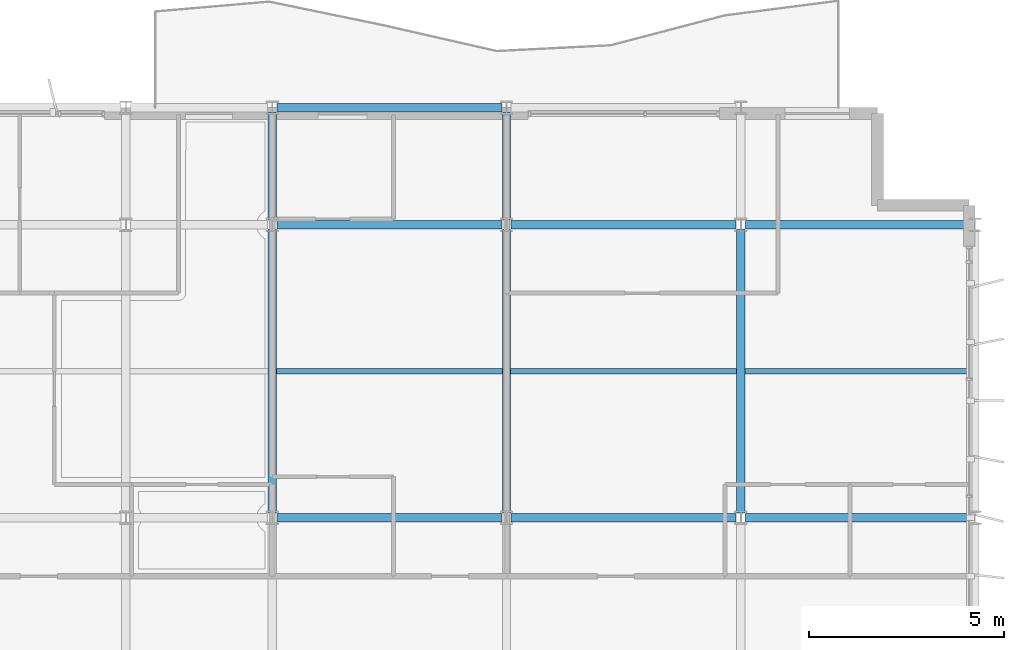
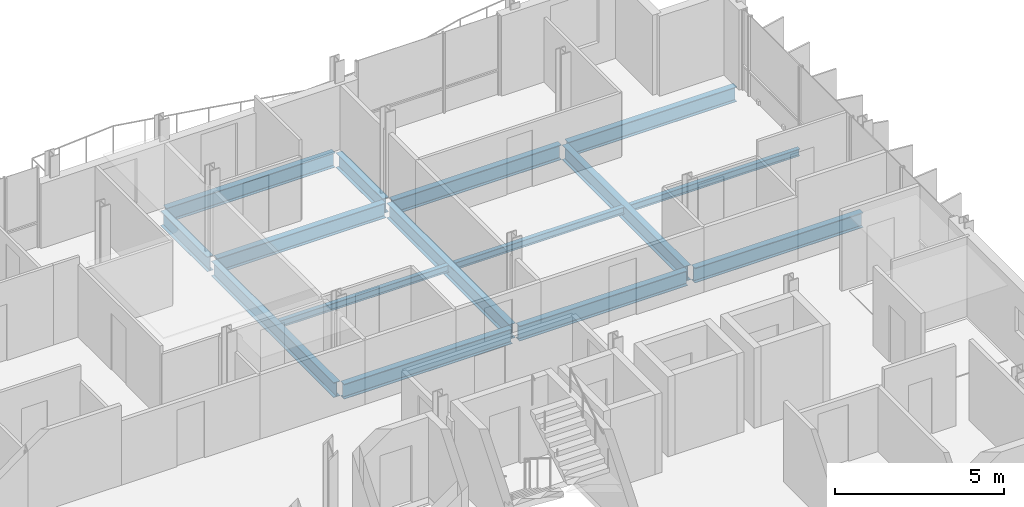
# One storey, part 3 of 13: 15 beams.
"""IFC4 building model written with IfcOpenShell, lengths in metres."""

from ifc_helpers import new_model, si_unit, direction, frame, origin, origin_2d, place, context, subcontext, project, spatial, i_section, extrude, material, material_profile, profile_set, type_object, element, save


model = new_model("IFC4")

# Units and contexts
model_context = context("Model", 3, precision=1e-05, world=origin(), true_north=direction((0.0, 1.0)))
body_context = subcontext(model_context, "Body", "Model", "MODEL_VIEW")
ifc_project = project(units=[si_unit("LENGTHUNIT", "METRE"), si_unit("AREAUNIT", "SQUARE_METRE"), si_unit("VOLUMEUNIT", "CUBIC_METRE"), si_unit("PLANEANGLEUNIT", "RADIAN"), si_unit("MASSUNIT", "GRAM", prefix="KILO")], contexts=[model_context])

# Site, building, storey
site_placement = place(None, origin())
site = spatial("IfcSite", under=ifc_project, at=site_placement, CompositionType="ELEMENT")
building_placement = place(site_placement, origin())
building = spatial("IfcBuilding", under=site, at=building_placement, Name="Brevholm Reach", CompositionType="ELEMENT")
storey_placement = place(building_placement, frame((0.0, 0.0, 224.199951171875)))
storey = spatial("IfcBuildingStorey", under=building, at=storey_placement, Name="L68", CompositionType="ELEMENT", Elevation=224.199951171875)

# Beams
ifc_material_1 = material(Name="Structural Steel S355J2", Category="steel")
ifc_material_profile_1 = material_profile(ifc_material_1, i_section(OverallWidth=0.14599609375, OverallDepth=0.25146484375, WebThickness=0.006103515625, FlangeThickness=0.008544921875, FilletRadius=0.007568359375, at=origin_2d()), Name="UKB 254x146x31")
ifc_profile_set_1 = profile_set([ifc_material_profile_1], Name="Structural Steel S355J2")
beam_type_1 = type_object("IfcBeamType", Name="BM-B254", PredefinedType="BEAM", material=ifc_profile_set_1)
for number, where, z_axis, x_axis, name in (
    (1, (42.10546875, 19.75, -0.335693359375), (1.0, 0.0, 0.0), (0.0, 1.0, 0.0), "L68 Composite Secondary Floor Beam"),
    (2, (48.10546875, 19.75, -0.335693359375), (1.0, 0.0, 0.0), (0.0, 1.0, 0.0), "L68 Composite Secondary Floor Beam"),
):
    element("IfcBeam", number, at=place(storey_placement, frame(where, z_axis=z_axis, x_axis=x_axis)), inside=storey, type_object=beam_type_1, Name=name, PredefinedType="BEAM", context=body_context, shape_type="SweptSolid", body=[
        extrude(i_section(OverallWidth=0.14599609375, OverallDepth=0.25146484375, WebThickness=0.006103515625, FlangeThickness=0.008544921875, FilletRadius=0.007568359375, at=origin_2d()), origin(), (0.0, 0.0, 1.0), 5.7890625),
    ])
beam_1_placement = place(storey_placement, frame((54.10546875, 19.75, -0.335693359375), z_axis=(1.0, 0.0, 0.0), x_axis=(0.0, 1.0, 0.0)))
element("IfcBeam", 3, at=beam_1_placement, inside=storey, type_object=beam_type_1, Name="L68 Composite Secondary Floor Beam", PredefinedType="BEAM", context=body_context, shape_type="SweptSolid", body=[
    extrude(i_section(OverallWidth=0.14599609375, OverallDepth=0.25146484375, WebThickness=0.006103515625, FlangeThickness=0.008544921875, FilletRadius=0.007568359375, at=origin_2d()), origin(), (0.0, 0.0, 1.0), 5.789794921875),
])
ifc_material_2 = material(Name="Structural Steel S355J2", Category="steel")
ifc_material_profile_2 = material_profile(ifc_material_2, i_section(OverallWidth=0.209228515625, OverallDepth=0.533203125, WebThickness=0.010009765625, FlangeThickness=0.015625, FilletRadius=0.0126953125, at=origin_2d()), Name="UKB 533x210x92")
ifc_profile_set_2 = profile_set([ifc_material_profile_2], Name="Structural Steel S355J2")
beam_type_2 = type_object("IfcBeamType", Name="BM-SP533", PredefinedType="SPANDREL", material=ifc_profile_set_2)
beam_2_placement = place(storey_placement, frame((42.1201171875, 26.5, -0.4765625), z_axis=(1.0, 0.0, 0.0), x_axis=(0.0, 1.0, 0.0)))
element("IfcBeam", 4, at=beam_2_placement, inside=storey, type_object=beam_type_2, Name="L68 SP-02 Framing Beam", PredefinedType="SPANDREL", context=body_context, shape_type="SweptSolid", body=[
    extrude(i_section(OverallWidth=0.209228515625, OverallDepth=0.533203125, WebThickness=0.010009765625, FlangeThickness=0.015625, FilletRadius=0.0126953125, at=origin_2d()), origin(), (0.0, 0.0, 1.0), 5.759765625),
])
ifc_material_3 = material(Name="Structural Steel S355J2", Category="steel")
ifc_material_profile_3 = material_profile(ifc_material_3, i_section(OverallWidth=0.210693359375, OverallDepth=0.53955078125, WebThickness=0.01171875, FlangeThickness=0.018798828125, FilletRadius=0.0126953125, at=origin_2d()), Name="UKB 533x210x109")
ifc_profile_set_3 = profile_set([ifc_material_profile_3], Name="Structural Steel S355J2")
beam_type_3 = type_object("IfcBeamType", Name="BM-SP539", PredefinedType="SPANDREL", material=ifc_profile_set_3)
for number, where, z_axis, x_axis, name in (
    (5, (42.1201171875, 16.0, -0.479736328125), (1.0, 0.0, 0.0), (0.0, 1.0, 0.0), "L68 SP-01B Framing Beam"),
    (6, (48.1201171875, 16.0, -0.479736328125), (1.0, 0.0, 0.0), (0.0, 1.0, 0.0), "L68 SP-01B Framing Beam"),
    (7, (54.1201171875, 16.0, -0.479736328125), (1.0, 0.0, 0.0), (0.0, 1.0, 0.0), "L68 SP-01B Framing Beam"),
    (8, (42.1201171875, 23.5, -0.479736328125), (1.0, 0.0, 0.0), (0.0, 1.0, 0.0), "L68 SP-01B Framing Beam"),
    (9, (48.1201171875, 23.5, -0.479736328125), (1.0, 0.0, 0.0), (0.0, 1.0, 0.0), "L68 SP-01B Framing Beam"),
    (10, (54.1201171875, 23.5, -0.479736328125), (1.0, 0.0, 0.0), (0.0, 1.0, 0.0), "L68 SP-01B Framing Beam"),
):
    element("IfcBeam", number, at=place(storey_placement, frame(where, z_axis=z_axis, x_axis=x_axis)), inside=storey, type_object=beam_type_3, Name=name, PredefinedType="SPANDREL", context=body_context, shape_type="SweptSolid", body=[
        extrude(i_section(OverallWidth=0.210693359375, OverallDepth=0.53955078125, WebThickness=0.01171875, FlangeThickness=0.018798828125, FilletRadius=0.0126953125, at=origin_2d()), origin(), (0.0, 0.0, 1.0), 5.759765625),
    ])
beam_3_placement = place(storey_placement, frame((42.0, 16.1201171875, -0.479736328125), z_axis=(0.0, 1.0, 0.0), x_axis=(-1.0, 0.0, 0.0)))
element("IfcBeam", 11, at=beam_3_placement, inside=storey, type_object=beam_type_3, Name="L68 SP-01B Framing Beam", PredefinedType="SPANDREL", context=body_context, shape_type="SweptSolid", body=[
    extrude(i_section(OverallWidth=0.210693359375, OverallDepth=0.53955078125, WebThickness=0.01171875, FlangeThickness=0.018798828125, FilletRadius=0.0126953125, at=origin_2d()), origin(), (0.0, 0.0, 1.0), 7.259765625),
])
beam_4_placement = place(storey_placement, frame((42.0, 23.6201171875, -0.479736328125), z_axis=(0.0, 1.0, 0.0), x_axis=(-1.0, 0.0, 0.0)))
element("IfcBeam", 12, at=beam_4_placement, inside=storey, type_object=beam_type_3, Name="L68 SP-01B Framing Beam", PredefinedType="SPANDREL", context=body_context, shape_type="SweptSolid", body=[
    extrude(i_section(OverallWidth=0.210693359375, OverallDepth=0.53955078125, WebThickness=0.01171875, FlangeThickness=0.018798828125, FilletRadius=0.0126953125, at=origin_2d()), origin(), (0.0, 0.0, 1.0), 2.759765625),
])
beam_5_placement = place(storey_placement, frame((48.0, 16.1201171875, -0.479736328125), z_axis=(0.0, 1.0, 0.0), x_axis=(-1.0, 0.0, 0.0)))
element("IfcBeam", 13, at=beam_5_placement, inside=storey, type_object=beam_type_3, Name="L68 SP-01B Framing Beam", PredefinedType="SPANDREL", context=body_context, shape_type="SweptSolid", body=[
    extrude(i_section(OverallWidth=0.210693359375, OverallDepth=0.53955078125, WebThickness=0.01171875, FlangeThickness=0.018798828125, FilletRadius=0.0126953125, at=origin_2d()), origin(), (0.0, 0.0, 1.0), 7.259765625),
])
beam_6_placement = place(storey_placement, frame((48.0, 23.6201171875, -0.479736328125), z_axis=(0.0, 1.0, 0.0), x_axis=(-1.0, 0.0, 0.0)))
element("IfcBeam", 14, at=beam_6_placement, inside=storey, type_object=beam_type_3, Name="L68 SP-01B Framing Beam", PredefinedType="SPANDREL", context=body_context, shape_type="SweptSolid", body=[
    extrude(i_section(OverallWidth=0.210693359375, OverallDepth=0.53955078125, WebThickness=0.01171875, FlangeThickness=0.018798828125, FilletRadius=0.0126953125, at=origin_2d()), origin(), (0.0, 0.0, 1.0), 2.759765625),
])
beam_7_placement = place(storey_placement, frame((54.0, 16.1201171875, -0.479736328125), z_axis=(0.0, 1.0, 0.0), x_axis=(-1.0, 0.0, 0.0)))
element("IfcBeam", 15, at=beam_7_placement, inside=storey, type_object=beam_type_3, Name="L68 SP-01B Framing Beam", PredefinedType="SPANDREL", context=body_context, shape_type="SweptSolid", body=[
    extrude(i_section(OverallWidth=0.210693359375, OverallDepth=0.53955078125, WebThickness=0.01171875, FlangeThickness=0.018798828125, FilletRadius=0.0126953125, at=origin_2d()), origin(), (0.0, 0.0, 1.0), 7.259765625),
])

save(model, "model.ifc")
